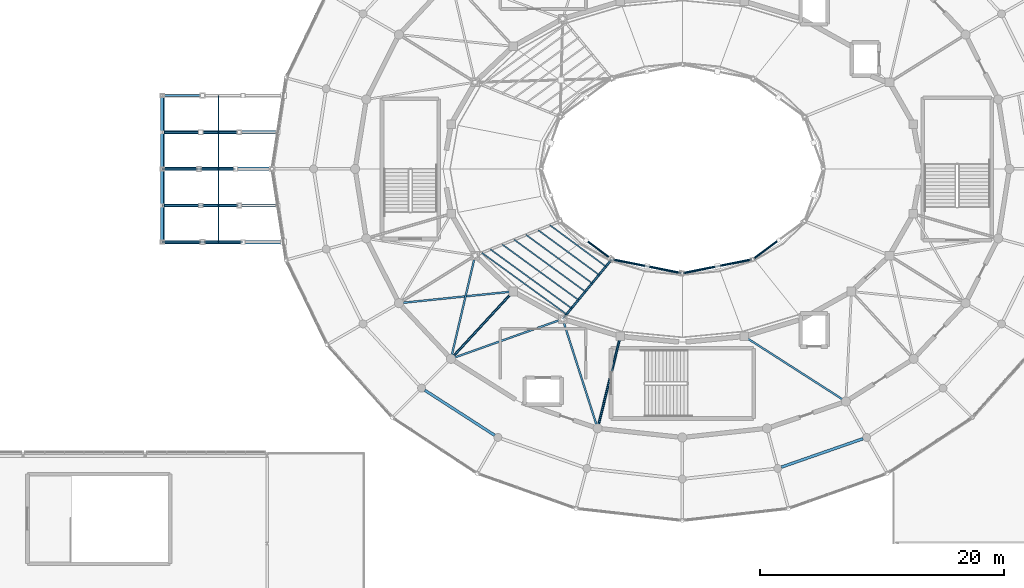
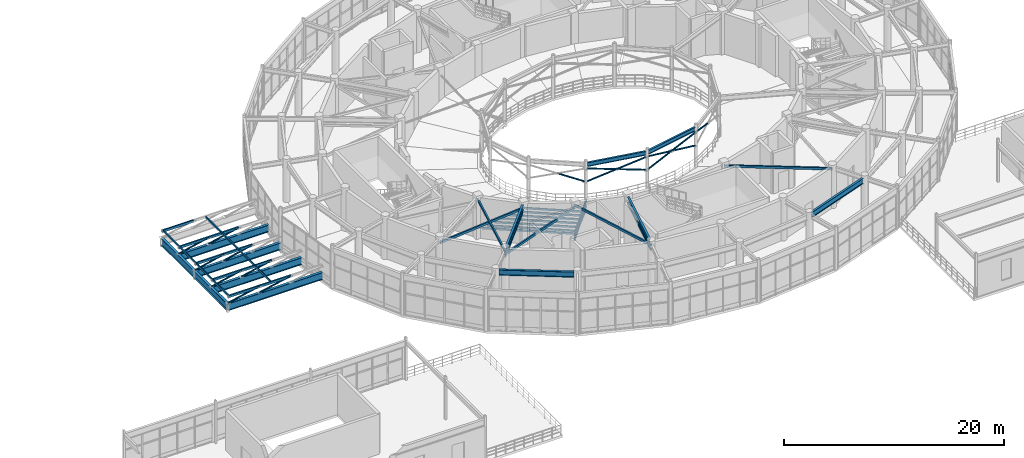
# One storey, part 37 of 144: 50 members, 13 beams.
"""IFC4 building model written with IfcOpenShell, lengths in metres."""

from ifc_helpers import new_model, si_unit, direction, frame, origin, origin_2d, place, context, subcontext, project, spatial, hollow_rectangle, hollow_circle, i_section, extrude, material, material_profile, profile_set, type_object, element, save


model = new_model("IFC4")

# Units and contexts
model_context = context("Model", 3, precision=1e-05, world=origin(), true_north=direction((0.0, 1.0)))
body_context = subcontext(model_context, "Body", "Model", "MODEL_VIEW")
ifc_project = project(units=[si_unit("LENGTHUNIT", "METRE"), si_unit("AREAUNIT", "SQUARE_METRE"), si_unit("VOLUMEUNIT", "CUBIC_METRE"), si_unit("PLANEANGLEUNIT", "RADIAN"), si_unit("MASSUNIT", "GRAM", prefix="KILO")], contexts=[model_context])

# Site, building, storey
site_placement = place(None, origin())
site = spatial("IfcSite", under=ifc_project, at=site_placement, CompositionType="ELEMENT")
building_placement = place(site_placement, origin())
building = spatial("IfcBuilding", under=site, at=building_placement, Name="Cinderbank Siding Concert Hall", CompositionType="ELEMENT")
storey_placement = place(building_placement, frame((0.0, 0.0, 5.39990234375)))
storey = spatial("IfcBuildingStorey", under=building, at=storey_placement, Name="L02", CompositionType="ELEMENT", Elevation=5.39990234375)

# Beams
ifc_material_1 = material(Name="Structural steel AS/NZS 3679.1 Grade 350 (340 MPa)", Category="steel")
ifc_material_profile_1 = material_profile(ifc_material_1, i_section(OverallWidth=0.18994140625, OverallDepth=0.45751953125, WebThickness=0.009033203125, FlangeThickness=0.014404296875, at=origin_2d()), Name="460UB74.6", Category="LoadBearing")
ifc_profile_set_1 = profile_set([ifc_material_profile_1], Name="Structural steel AS/NZS 3679.1 Grade 350 (340 MPa)")
beam_type_1 = type_object("IfcBeamType", Name="BM-UB460 460UB74.6", PredefinedType="BEAM", material=ifc_profile_set_1)
for number, where, z_axis, x_axis, name in (
    (1, (116.3759765625, 36.5654296875, 4.29345703125), (0.980895780778, -0.194533974545, 0.0), (0.194533974545, 0.980895780778, 0.0), "L02 Beam BM-UB460 #171"),
    (2, (122.15087890625, 35.47998046875, 4.29345703125), (0.980895780778, 0.194533974545, 0.0), (-0.194533974545, 0.980895780778, 0.0), "L02 Beam BM-UB460 #172"),
):
    element("IfcBeam", number, at=place(storey_placement, frame(where, z_axis=z_axis, x_axis=x_axis)), inside=storey, type_object=beam_type_1, Name=name, PredefinedType="BEAM", context=body_context, shape_type="SweptSolid", body=[
        extrude(i_section(OverallWidth=0.18994140625, OverallDepth=0.45751953125, WebThickness=0.009033203125, FlangeThickness=0.014404296875, at=origin_2d()), origin(), (0.0, 0.0, 1.0), 5.579833984375),
    ])
ifc_material_profile_2 = material_profile(ifc_material_1, i_section(OverallWidth=0.19091796875, OverallDepth=0.46044921875, WebThickness=0.010009765625, FlangeThickness=0.01611328125, at=origin_2d()), Name="460UB82.1", Category="LoadBearing")
ifc_profile_set_2 = profile_set([ifc_material_profile_2], Name="Structural steel AS/NZS 3679.1 Grade 350 (340 MPa)")
beam_type_2 = type_object("IfcBeamType", Name="BM-UB460H 460UB82.1", PredefinedType="BEAM", material=ifc_profile_set_2)
beam_1_placement = place(storey_placement, frame((116.193115234375, 36.556884765625, -0.485107421875), z_axis=(-0.620880156551, -0.754805988422, 0.211602814355), x_axis=(0.772294012286, -0.635265266316, 0.0)))
element("IfcBeam", 3, at=beam_1_placement, inside=storey, type_object=beam_type_2, Name="L02 Beam BM-UB460H #103", PredefinedType="BEAM", context=body_context, shape_type="SweptSolid", body=[
    extrude(i_section(OverallWidth=0.19091796875, OverallDepth=0.46044921875, WebThickness=0.010009765625, FlangeThickness=0.01611328125, at=origin_2d()), origin(), (0.0, 0.0, 1.0), 6.38037109375),
])
ifc_material_profile_3 = material_profile(ifc_material_1, i_section(OverallWidth=0.208984375, OverallDepth=0.532958984375, WebThickness=0.01025390625, FlangeThickness=0.015625, at=origin_2d()), Name="530UB92.4", Category="LoadBearing")
ifc_profile_set_3 = profile_set([ifc_material_profile_3], Name="Structural steel AS/NZS 3679.1 Grade 350 (340 MPa)")
beam_type_3 = type_object("IfcBeamType", Name="BM-UB530H 530UB92.4", PredefinedType="BEAM", material=ifc_profile_set_3)
beam_2_placement = place(storey_placement, frame((107.90869140625, 33.707763671875, 4.28564453125), z_axis=(-0.67829203735, -0.734792427879, 0.0), x_axis=(0.734792427879, -0.67829203735, 0.0)))
element("IfcBeam", 4, at=beam_2_placement, inside=storey, type_object=beam_type_3, Name="L02 Beam BM-UB530H #492", PredefinedType="BEAM", context=body_context, shape_type="SweptSolid", body=[
    extrude(i_section(OverallWidth=0.208984375, OverallDepth=0.532958984375, WebThickness=0.01025390625, FlangeThickness=0.015625, at=origin_2d()), origin(), (0.0, 0.0, 1.0), 6.797119140625),
])
beam_3_placement = place(storey_placement, frame((116.844970703125, 29.951904296875, 4.28564453125), z_axis=(-0.240115631411, -0.970744293598, 0.0), x_axis=(0.970744293598, -0.240115631411, 0.0)))
element("IfcBeam", 5, at=beam_3_placement, inside=storey, type_object=beam_type_3, Name="L02 Beam BM-UB530H #493", PredefinedType="BEAM", context=body_context, shape_type="SweptSolid", body=[
    extrude(i_section(OverallWidth=0.208984375, OverallDepth=0.532958984375, WebThickness=0.01025390625, FlangeThickness=0.015625, at=origin_2d()), origin(), (0.0, 0.0, 1.0), 7.05224609375),
])
ifc_material_profile_4 = material_profile(ifc_material_1, i_section(OverallWidth=0.22802734375, OverallDepth=0.60693359375, WebThickness=0.01123046875, FlangeThickness=0.017333984375, at=origin_2d()), Name="610UB113", Category="LoadBearing")
ifc_profile_set_4 = profile_set([ifc_material_profile_4], Name="Structural steel AS/NZS 3679.1 Grade 350 (340 MPa)")
beam_type_4 = type_object("IfcBeamType", Name="BM-UB610M 610UB113", PredefinedType="BEAM", material=ifc_profile_set_4)
beam_4_placement = place(storey_placement, frame((100.91162109375, 25.86767578125, 4.218505859375), z_axis=(0.840219727246, -0.542246078775, 0.0), x_axis=(0.542246078775, 0.840219727246, 0.0)))
element("IfcBeam", 6, at=beam_4_placement, inside=storey, type_object=beam_type_4, Name="L02 Beam BM-UB610M #455", PredefinedType="BEAM", context=body_context, shape_type="SweptSolid", body=[
    extrude(i_section(OverallWidth=0.22802734375, OverallDepth=0.60693359375, WebThickness=0.01123046875, FlangeThickness=0.017333984375, at=origin_2d()), origin(), (0.0, 0.0, 1.0), 6.810302734375),
])
beam_5_placement = place(storey_placement, frame((130.11572265625, 19.56982421875, 4.218505859375), z_axis=(0.944334299593, 0.328987432301, 0.0), x_axis=(-0.328987432301, 0.944334299593, 0.0)))
element("IfcBeam", 7, at=beam_5_placement, inside=storey, type_object=beam_type_4, Name="L02 Beam BM-UB610M #459", PredefinedType="BEAM", context=body_context, shape_type="SweptSolid", body=[
    extrude(i_section(OverallWidth=0.22802734375, OverallDepth=0.60693359375, WebThickness=0.01123046875, FlangeThickness=0.017333984375, at=origin_2d()), origin(), (0.0, 0.0, 1.0), 7.078857421875),
])
ifc_material_2 = material(Name="Structural steel welded plate section AS/NZS 3679.2 / AS/NZS 3678 Grade 350 (340 MPa)", Category="steel")
ifc_material_profile_5 = material_profile(ifc_material_2, i_section(OverallWidth=0.27490234375, OverallDepth=0.800048828125, WebThickness=0.011962890625, FlangeThickness=0.02001953125, at=origin_2d()), Name="800WB168", Category="LoadBearing")
ifc_profile_set_5 = profile_set([ifc_material_profile_5], Name="Structural steel welded plate section AS/NZS 3679.2 / AS/NZS 3678 Grade 350 (340 MPa)")
beam_type_5 = type_object("IfcBeamType", Name="BM-WB800H 800WB168", PredefinedType="BEAM", material=ifc_profile_set_5)
for number, where, z_axis, x_axis, name in (
    (8, (79.39990234375, 38.0, 0.550048828125), (0.0, 1.0, 0.0), (-1.0, 0.0, 0.0), "L02 Beam BM-WB800H #87"),
    (9, (79.39990234375, 44.0, 0.550048828125), (0.0, 1.0, 0.0), (-1.0, 0.0, 0.0), "L02 Beam BM-WB800H #88"),
):
    element("IfcBeam", number, at=place(storey_placement, frame(where, z_axis=z_axis, x_axis=x_axis)), inside=storey, type_object=beam_type_5, Name=name, PredefinedType="BEAM", context=body_context, shape_type="SweptSolid", body=[
        extrude(i_section(OverallWidth=0.27490234375, OverallDepth=0.800048828125, WebThickness=0.011962890625, FlangeThickness=0.02001953125, at=origin_2d()), origin(), (0.0, 0.0, 1.0), 6.0),
    ])
beam_6_placement = place(storey_placement, frame((89.321533203125, 38.0, 0.550048828125), z_axis=(-1.0, 0.0, 0.0), x_axis=(0.0, -1.0, 0.0)))
element("IfcBeam", 10, at=beam_6_placement, inside=storey, type_object=beam_type_5, Name="L02 Beam BM-WB800H #91", PredefinedType="BEAM", context=body_context, shape_type="SweptSolid", body=[
    extrude(i_section(OverallWidth=0.27490234375, OverallDepth=0.800048828125, WebThickness=0.011962890625, FlangeThickness=0.02001953125, at=origin_2d()), origin(), (0.0, 0.0, 1.0), 9.921630859375),
])
beam_7_placement = place(storey_placement, frame((88.86083984375, 41.0, 0.550048828125), z_axis=(-1.0, 0.0, 0.0), x_axis=(0.0, -1.0, 0.0)))
element("IfcBeam", 11, at=beam_7_placement, inside=storey, type_object=beam_type_5, Name="L02 Beam BM-WB800H #92", PredefinedType="BEAM", context=body_context, shape_type="SweptSolid", body=[
    extrude(i_section(OverallWidth=0.27490234375, OverallDepth=0.800048828125, WebThickness=0.011962890625, FlangeThickness=0.02001953125, at=origin_2d()), origin(), (0.0, 0.0, 1.0), 9.4609375),
])
beam_8_placement = place(storey_placement, frame((88.39990234375, 44.0, 0.550048828125), z_axis=(-1.0, 0.0, 0.0), x_axis=(0.0, -1.0, 0.0)))
element("IfcBeam", 12, at=beam_8_placement, inside=storey, type_object=beam_type_5, Name="L02 Beam BM-WB800H #93", PredefinedType="BEAM", context=body_context, shape_type="SweptSolid", body=[
    extrude(i_section(OverallWidth=0.27490234375, OverallDepth=0.800048828125, WebThickness=0.011962890625, FlangeThickness=0.02001953125, at=origin_2d()), origin(), (0.0, 0.0, 1.0), 9.0),
])
beam_9_placement = place(storey_placement, frame((88.86083984375, 47.0, 0.550048828125), z_axis=(-1.0, 0.0, 0.0), x_axis=(0.0, -1.0, 0.0)))
element("IfcBeam", 13, at=beam_9_placement, inside=storey, type_object=beam_type_5, Name="L02 Beam BM-WB800H #94", PredefinedType="BEAM", context=body_context, shape_type="SweptSolid", body=[
    extrude(i_section(OverallWidth=0.27490234375, OverallDepth=0.800048828125, WebThickness=0.011962890625, FlangeThickness=0.02001953125, at=origin_2d()), origin(), (0.0, 0.0, 1.0), 9.4609375),
])

# Members
ifc_material_3 = material(Name="Structural steel hollow section AS/NZS 1163 Grade C350L0 (350 MPa)", Category="steel")
ifc_material_profile_6 = material_profile(ifc_material_3, hollow_circle(Radius=0.084228515625, WallThickness=0.007080078125, at=origin_2d()), Name="168.3x7.1CHS", Category="LoadBearing")
ifc_profile_set_6 = profile_set([ifc_material_profile_6], Name="Structural steel hollow section AS/NZS 1163 Grade C350L0 (350 MPa)")
member_type_1 = type_object("IfcMemberType", Name="BR-CHS168 168.3x7.1CHS Roof Truss", PredefinedType="BRACE", material=ifc_profile_set_6)
member_1_placement = place(storey_placement, frame((86.014404296875, 38.0, 1.650146484375), z_axis=(-0.978327762396, 0.0, -0.207062283684), x_axis=(0.0, -1.0, 0.0)))
element("IfcMember", 14, at=member_1_placement, inside=storey, type_object=member_type_1, Name="L02 Diagonal Brace BR-CHS168 #CBR-BR-CHS168-L02-0004", PredefinedType="BRACE", context=body_context, shape_type="SweptSolid", body=[
    extrude(hollow_circle(Radius=0.084228515625, WallThickness=0.007080078125, at=origin_2d()), origin(), (0.0, 0.0, 1.0), 3.38037109375),
])
member_2_placement = place(storey_placement, frame((82.707275390625, 38.0, 1.650146484375), z_axis=(-0.978330858598, 0.0, -0.207047654211), x_axis=(0.0, -1.0, 0.0)))
element("IfcMember", 15, at=member_2_placement, inside=storey, type_object=member_type_1, Name="L02 Diagonal Brace BR-CHS168 #CBR-BR-CHS168-L02-0006", PredefinedType="BRACE", context=body_context, shape_type="SweptSolid", body=[
    extrude(hollow_circle(Radius=0.084228515625, WallThickness=0.007080078125, at=origin_2d()), origin(), (0.0, 0.0, 1.0), 3.380615234375),
])
member_3_placement = place(storey_placement, frame((85.707275390625, 41.0, 1.650146484375), z_axis=(-0.976242156209, 0.0, -0.216682376856), x_axis=(0.0, -1.0, 0.0)))
element("IfcMember", 16, at=member_3_placement, inside=storey, type_object=member_type_1, Name="L02 Diagonal Brace BR-CHS168 #CBR-BR-CHS168-L02-0010", PredefinedType="BRACE", context=body_context, shape_type="SweptSolid", body=[
    extrude(hollow_circle(Radius=0.084228515625, WallThickness=0.007080078125, at=origin_2d()), origin(), (0.0, 0.0, 1.0), 3.230224609375),
])
member_4_placement = place(storey_placement, frame((82.5537109375, 41.0, 1.650146484375), z_axis=(-0.976245704302, 0.0, -0.216666390636), x_axis=(0.0, -1.0, 0.0)))
element("IfcMember", 17, at=member_4_placement, inside=storey, type_object=member_type_1, Name="L02 Diagonal Brace BR-CHS168 #CBR-BR-CHS168-L02-0012", PredefinedType="BRACE", context=body_context, shape_type="SweptSolid", body=[
    extrude(hollow_circle(Radius=0.084228515625, WallThickness=0.007080078125, at=origin_2d()), origin(), (0.0, 0.0, 1.0), 3.23046875),
])
for number, where, z_axis, x_axis, name in (
    (18, (85.39990234375, 44.0, 1.650146484375), (-0.973844717077, 0.0, -0.227214583647), (0.0, -1.0, 0.0), "L02 Diagonal Brace BR-CHS168 #CBR-BR-CHS168-L02-0016"),
    (19, (82.39990234375, 44.0, 1.650146484375), (-0.973844717077, 0.0, -0.227214583647), (0.0, -1.0, 0.0), "L02 Diagonal Brace BR-CHS168 #CBR-BR-CHS168-L02-0018"),
):
    element("IfcMember", number, at=place(storey_placement, frame(where, z_axis=z_axis, x_axis=x_axis)), inside=storey, type_object=member_type_1, Name=name, PredefinedType="BRACE", context=body_context, shape_type="SweptSolid", body=[
        extrude(hollow_circle(Radius=0.084228515625, WallThickness=0.007080078125, at=origin_2d()), origin(), (0.0, 0.0, 1.0), 3.08056640625),
    ])
member_5_placement = place(storey_placement, frame((85.707275390625, 47.0, 1.650146484375), z_axis=(-0.976242156209, 0.0, -0.216682376856), x_axis=(0.0, -1.0, 0.0)))
element("IfcMember", 20, at=member_5_placement, inside=storey, type_object=member_type_1, Name="L02 Diagonal Brace BR-CHS168 #CBR-BR-CHS168-L02-0022", PredefinedType="BRACE", context=body_context, shape_type="SweptSolid", body=[
    extrude(hollow_circle(Radius=0.084228515625, WallThickness=0.007080078125, at=origin_2d()), origin(), (0.0, 0.0, 1.0), 3.230224609375),
])
member_6_placement = place(storey_placement, frame((82.5537109375, 47.0, 1.650146484375), z_axis=(-0.976245704302, 0.0, -0.216666390636), x_axis=(0.0, -1.0, 0.0)))
element("IfcMember", 21, at=member_6_placement, inside=storey, type_object=member_type_1, Name="L02 Diagonal Brace BR-CHS168 #CBR-BR-CHS168-L02-0024", PredefinedType="BRACE", context=body_context, shape_type="SweptSolid", body=[
    extrude(hollow_circle(Radius=0.084228515625, WallThickness=0.007080078125, at=origin_2d()), origin(), (0.0, 0.0, 1.0), 3.23046875),
])
member_7_placement = place(storey_placement, frame((116.22509765625, 36.595458984375, 0.300048828125), z_axis=(-0.631448280701, -0.767603957167, 0.109805435845), x_axis=(0.772273819235, -0.635289814277, 0.0)))
element("IfcMember", 22, at=member_7_placement, inside=storey, type_object=member_type_1, Name="L02 Diagonal Brace BR-CHS168 #RKDG-BR-CHS168-L02-1942", PredefinedType="BRACE", context=body_context, shape_type="SweptSolid", body=[
    extrude(hollow_circle(Radius=0.084228515625, WallThickness=0.007080078125, at=origin_2d()), origin(), (0.0, 0.0, 1.0), 6.37451171875),
])
member_8_placement = place(storey_placement, frame((112.199951171875, 31.702392578125, 0.300048828125), z_axis=(0.631973865139, 0.76824287045, -0.102038844484), x_axis=(-0.772273819235, 0.635289814277, 0.0)))
element("IfcMember", 23, at=member_8_placement, inside=storey, type_object=member_type_1, Name="L02 Diagonal Brace BR-CHS168 #RKDG-BR-CHS168-L02-1943", PredefinedType="BRACE", context=body_context, shape_type="SweptSolid", body=[
    extrude(hollow_circle(Radius=0.084228515625, WallThickness=0.007080078125, at=origin_2d()), origin(), (0.0, 0.0, 1.0), 6.369140625),
])
member_9_placement = place(storey_placement, frame((116.16064453125, 36.64306640625, 2.400146484375), z_axis=(-0.773503697063, 0.572598459824, 0.271703946303), x_axis=(-0.59498112384, -0.803739673199, 0.0)))
element("IfcMember", 24, at=member_9_placement, inside=storey, type_object=member_type_1, Name="L02 Diagonal Brace BR-CHS168 #RKCR-BR-CHS168-L02-2063", PredefinedType="BRACE", context=body_context, shape_type="SweptSolid", body=[
    extrude(hollow_circle(Radius=0.084228515625, WallThickness=0.007080078125, at=origin_2d()), origin(), (0.0, 0.0, 1.0), 2.634521484375),
])
member_10_placement = place(storey_placement, frame((116.303466796875, 36.579833984375, 2.400146484375), z_axis=(0.95128806538, -0.188678402955, 0.243826735457), x_axis=(0.194550158365, 0.980892571019, 0.0)))
element("IfcMember", 25, at=member_10_placement, inside=storey, type_object=member_type_1, Name="L02 Diagonal Brace BR-CHS168 #RKCR-BR-CHS168-L02-2064", PredefinedType="BRACE", context=body_context, shape_type="SweptSolid", body=[
    extrude(hollow_circle(Radius=0.084228515625, WallThickness=0.007080078125, at=origin_2d()), origin(), (0.0, 0.0, 1.0), 5.905517578125),
])
for number, where, z_axis, x_axis, name in (
    (26, (121.92138671875, 35.465576171875, 2.400146484375), (-0.951279182197, 0.18872674262, 0.243823981879), (-0.19459986347, -0.980882711203, 0.0), "L02 Diagonal Brace BR-CHS168 #RKCR-BR-CHS168-L02-2065"),
    (27, (119.09814453125, 36.025634765625, 3.123779296875), (-0.951294098882, 0.188646597752, 0.2438278052), (-0.194517417313, -0.980899064309, 0.0), "L02 Diagonal Brace BR-CHS168 #RKCR-BR-CHS168-L02-2065-S186"),
):
    element("IfcMember", number, at=place(storey_placement, frame(where, z_axis=z_axis, x_axis=x_axis)), inside=storey, type_object=member_type_1, Name=name, PredefinedType="BRACE", context=body_context, shape_type="SweptSolid", body=[
        extrude(hollow_circle(Radius=0.084228515625, WallThickness=0.007080078125, at=origin_2d()), origin(), (0.0, 0.0, 1.0), 2.937744140625),
    ])
member_11_placement = place(storey_placement, frame((122.07861328125, 35.465576171875, 2.400146484375), z_axis=(0.95128806538, 0.188678402955, 0.243826735457), x_axis=(-0.194550158365, 0.980892571019, 0.0)))
element("IfcMember", 28, at=member_11_placement, inside=storey, type_object=member_type_1, Name="L02 Diagonal Brace BR-CHS168 #RKCR-BR-CHS168-L02-2066", PredefinedType="BRACE", context=body_context, shape_type="SweptSolid", body=[
    extrude(hollow_circle(Radius=0.084228515625, WallThickness=0.007080078125, at=origin_2d()), origin(), (0.0, 0.0, 1.0), 5.905517578125),
])
for number, where, z_axis, x_axis, name in (
    (29, (127.696533203125, 36.579833984375, 2.400146484375), (-0.951294098882, -0.188646597752, 0.2438278052), (0.194517417313, -0.980899064309, 0.0), "L02 Diagonal Brace BR-CHS168 #RKCR-BR-CHS168-L02-2067"),
    (30, (124.873291015625, 36.02001953125, 3.123779296875), (-0.951279182197, -0.18872674262, 0.243823981879), (0.19459986347, -0.980882711203, 0.0), "L02 Diagonal Brace BR-CHS168 #RKCR-BR-CHS168-L02-2067-S187"),
):
    element("IfcMember", number, at=place(storey_placement, frame(where, z_axis=z_axis, x_axis=x_axis)), inside=storey, type_object=member_type_1, Name=name, PredefinedType="BRACE", context=body_context, shape_type="SweptSolid", body=[
        extrude(hollow_circle(Radius=0.084228515625, WallThickness=0.007080078125, at=origin_2d()), origin(), (0.0, 0.0, 1.0), 2.937744140625),
    ])
member_12_placement = place(storey_placement, frame((129.877197265625, 38.151611328125, 3.124267578125), z_axis=(-0.773503697063, -0.572598459824, 0.271703946303), x_axis=(0.59498112384, -0.803739673199, 0.0)))
element("IfcMember", 31, at=member_12_placement, inside=storey, type_object=member_type_1, Name="L02 Diagonal Brace BR-CHS168 #RKCR-BR-CHS168-L02-2069-S188", PredefinedType="BRACE", context=body_context, shape_type="SweptSolid", body=[
    extrude(hollow_circle(Radius=0.084228515625, WallThickness=0.007080078125, at=origin_2d()), origin(), (0.0, 0.0, 1.0), 2.634521484375),
])
ifc_material_profile_7 = material_profile(ifc_material_3, hollow_rectangle(XDim=0.10009765625, YDim=0.199951171875, WallThickness=0.008056640625, at=origin_2d()), Name="200x100x8.0RHS", Category="LoadBearing")
ifc_profile_set_7 = profile_set([ifc_material_profile_7], Name="Structural steel hollow section AS/NZS 1163 Grade C350L0 (350 MPa)")
member_type_2 = type_object("IfcMemberType", Name="PR-RHS200 200x100x8.0RHS Roof Truss", PredefinedType="PURLIN", material=ifc_profile_set_7)
for number, where, z_axis, x_axis, name in (
    (32, (79.550048828125, 38.0, 1.650146484375), (0.0, 1.0, 0.0), (-1.0, 0.0, 0.0), "L02 Roof Truss Member PR-RHS200 #31"),
    (33, (79.550048828125, 41.0, 1.650146484375), (0.0, 1.0, 0.0), (-1.0, 0.0, 0.0), "L02 Roof Truss Member PR-RHS200 #32"),
    (34, (79.550048828125, 44.0, 1.650146484375), (0.0, 1.0, 0.0), (-1.0, 0.0, 0.0), "L02 Roof Truss Member PR-RHS200 #33"),
    (35, (79.550048828125, 47.0, 1.650146484375), (0.0, 1.0, 0.0), (-1.0, 0.0, 0.0), "L02 Roof Truss Member PR-RHS200 #34"),
    (36, (84.0, 38.0, 1.650146484375), (0.0, 1.0, 0.0), (-1.0, 0.0, 0.0), "L02 Roof Truss Member PR-RHS200 #35"),
    (37, (84.0, 41.0, 1.650146484375), (0.0, 1.0, 0.0), (-1.0, 0.0, 0.0), "L02 Roof Truss Member PR-RHS200 #36"),
    (38, (84.0, 44.0, 1.650146484375), (0.0, 1.0, 0.0), (-1.0, 0.0, 0.0), "L02 Roof Truss Member PR-RHS200 #37"),
    (39, (84.0, 47.0, 1.650146484375), (0.0, 1.0, 0.0), (-1.0, 0.0, 0.0), "L02 Roof Truss Member PR-RHS200 #38"),
):
    element("IfcMember", number, at=place(storey_placement, frame(where, z_axis=z_axis, x_axis=x_axis)), inside=storey, type_object=member_type_2, Name=name, PredefinedType="PURLIN", context=body_context, shape_type="SweptSolid", body=[
        extrude(hollow_rectangle(XDim=0.10009765625, YDim=0.199951171875, WallThickness=0.008056640625, at=origin_2d()), origin(), (0.0, 0.0, 1.0), 3.0),
    ])
member_13_placement = place(storey_placement, frame((111.160888671875, 39.385986328125, -0.43798828125), z_axis=(0.804873593743, -0.593446289141, 0.0), x_axis=(0.593446289141, 0.804873593743, 0.0)))
element("IfcMember", 40, at=member_13_placement, inside=storey, type_object=member_type_2, Name="L02 Roof Truss Member PR-RHS200 #1977", PredefinedType="PURLIN", context=body_context, shape_type="SweptSolid", body=[
    extrude(hollow_rectangle(XDim=0.10009765625, YDim=0.199951171875, WallThickness=0.008056640625, at=origin_2d()), origin(), (0.0, 0.0, 1.0), 5.691650390625),
])
member_14_placement = place(storey_placement, frame((110.184814453125, 38.990478515625, -0.2490234375), z_axis=(0.806002667019, -0.591911902869, 0.0), x_axis=(0.591911902869, 0.806002667019, 0.0)))
element("IfcMember", 41, at=member_14_placement, inside=storey, type_object=member_type_2, Name="L02 Roof Truss Member PR-RHS200 #1978", PredefinedType="PURLIN", context=body_context, shape_type="SweptSolid", body=[
    extrude(hollow_rectangle(XDim=0.10009765625, YDim=0.199951171875, WallThickness=0.008056640625, at=origin_2d()), origin(), (0.0, 0.0, 1.0), 6.195556640625),
])
member_15_placement = place(storey_placement, frame((109.208740234375, 38.594970703125, -0.059814453125), z_axis=(0.806959583064, -0.590606663779, 0.0), x_axis=(0.590606663779, 0.806959583064, 0.0)))
element("IfcMember", 42, at=member_15_placement, inside=storey, type_object=member_type_2, Name="L02 Roof Truss Member PR-RHS200 #1979", PredefinedType="PURLIN", context=body_context, shape_type="SweptSolid", body=[
    extrude(hollow_rectangle(XDim=0.10009765625, YDim=0.199951171875, WallThickness=0.008056640625, at=origin_2d()), origin(), (0.0, 0.0, 1.0), 6.699462890625),
])
member_16_placement = place(storey_placement, frame((108.23291015625, 38.199462890625, 0.129150390625), z_axis=(0.807769138252, -0.589498956137, 0.0), x_axis=(0.589498956137, 0.807769138252, 0.0)))
element("IfcMember", 43, at=member_16_placement, inside=storey, type_object=member_type_2, Name="L02 Roof Truss Member PR-RHS200 #1980", PredefinedType="PURLIN", context=body_context, shape_type="SweptSolid", body=[
    extrude(hollow_rectangle(XDim=0.10009765625, YDim=0.199951171875, WallThickness=0.008056640625, at=origin_2d()), origin(), (0.0, 0.0, 1.0), 7.203369140625),
])
member_17_placement = place(storey_placement, frame((107.2568359375, 37.803955078125, 0.318115234375), z_axis=(0.808497668227, -0.588499380179, 0.0), x_axis=(0.588499380179, 0.808497668227, 0.0)))
element("IfcMember", 44, at=member_17_placement, inside=storey, type_object=member_type_2, Name="L02 Roof Truss Member PR-RHS200 #1981", PredefinedType="PURLIN", context=body_context, shape_type="SweptSolid", body=[
    extrude(hollow_rectangle(XDim=0.10009765625, YDim=0.199951171875, WallThickness=0.008056640625, at=origin_2d()), origin(), (0.0, 0.0, 1.0), 7.70703125),
])
member_18_placement = place(storey_placement, frame((106.28076171875, 37.408447265625, 0.507080078125), z_axis=(0.80912163461, -0.587641200398, 0.0), x_axis=(0.587641200398, 0.80912163461, 0.0)))
element("IfcMember", 45, at=member_18_placement, inside=storey, type_object=member_type_2, Name="L02 Roof Truss Member PR-RHS200 #1982", PredefinedType="PURLIN", context=body_context, shape_type="SweptSolid", body=[
    extrude(hollow_rectangle(XDim=0.10009765625, YDim=0.199951171875, WallThickness=0.008056640625, at=origin_2d()), origin(), (0.0, 0.0, 1.0), 8.211181640625),
])
member_19_placement = place(storey_placement, frame((105.58349609375, 37.1259765625, 0.64208984375), z_axis=(0.809508911887, -0.587107589438, 0.0), x_axis=(0.587107589438, 0.809508911887, 0.0)))
element("IfcMember", 46, at=member_19_placement, inside=storey, type_object=member_type_2, Name="L02 Roof Truss Member PR-RHS200 #1983", PredefinedType="PURLIN", context=body_context, shape_type="SweptSolid", body=[
    extrude(hollow_rectangle(XDim=0.10009765625, YDim=0.199951171875, WallThickness=0.008056640625, at=origin_2d()), origin(), (0.0, 0.0, 1.0), 8.5712890625),
])
member_20_placement = place(storey_placement, frame((108.140625, 33.958984375, 3.64013671875), z_axis=(-0.678276049894, -0.734807185689, 0.0), x_axis=(0.734807185689, -0.678276049894, 0.0)))
element("IfcMember", 47, at=member_20_placement, inside=storey, type_object=member_type_2, Name="L02 Roof Truss Member PR-RHS200 #2228", PredefinedType="PURLIN", context=body_context, shape_type="SweptSolid", body=[
    extrude(hollow_rectangle(XDim=0.10009765625, YDim=0.199951171875, WallThickness=0.008056640625, at=origin_2d()), origin(), (0.0, 0.0, 1.0), 7.505859375),
])
member_21_placement = place(storey_placement, frame((116.927001953125, 30.283935546875, 3.64013671875), z_axis=(-0.240070192761, -0.970755531814, 0.0), x_axis=(0.970755531814, -0.240070192761, 0.0)))
element("IfcMember", 48, at=member_21_placement, inside=storey, type_object=member_type_2, Name="L02 Roof Truss Member PR-RHS200 #2230", PredefinedType="PURLIN", context=body_context, shape_type="SweptSolid", body=[
    extrude(hollow_rectangle(XDim=0.10009765625, YDim=0.199951171875, WallThickness=0.008056640625, at=origin_2d()), origin(), (0.0, 0.0, 1.0), 7.761474609375),
])
ifc_material_profile_8 = material_profile(ifc_material_3, hollow_rectangle(XDim=0.14990234375, YDim=0.25, WallThickness=0.009033203125, at=origin_2d()), Name="250x150x9.0RHS", Category="LoadBearing")
ifc_profile_set_8 = profile_set([ifc_material_profile_8], Name="Structural steel hollow section AS/NZS 1163 Grade C350L0 (350 MPa)")
member_type_3 = type_object("IfcMemberType", Name="TR-RHS250 250x150x9.0RHS Roof Truss", PredefinedType="RAFTER", material=ifc_profile_set_8)
member_22_placement = place(storey_placement, frame((86.014404296875, 38.0, 1.650146484375), z_axis=(-1.0, 0.0, 0.0), x_axis=(0.0, -1.0, 0.0)))
element("IfcMember", 49, at=member_22_placement, inside=storey, type_object=member_type_3, Name="L02 Roof Truss Member TR-RHS250 #3", PredefinedType="RAFTER", context=body_context, shape_type="SweptSolid", body=[
    extrude(hollow_rectangle(XDim=0.14990234375, YDim=0.25, WallThickness=0.009033203125, at=origin_2d()), origin(), (0.0, 0.0, 1.0), 3.30712890625),
])
member_23_placement = place(storey_placement, frame((82.707275390625, 38.0, 1.650146484375), z_axis=(-1.0, 0.0, 0.0), x_axis=(0.0, -1.0, 0.0)))
element("IfcMember", 50, at=member_23_placement, inside=storey, type_object=member_type_3, Name="L02 Roof Truss Member TR-RHS250 #5", PredefinedType="RAFTER", context=body_context, shape_type="SweptSolid", body=[
    extrude(hollow_rectangle(XDim=0.14990234375, YDim=0.25, WallThickness=0.009033203125, at=origin_2d()), origin(), (0.0, 0.0, 1.0), 3.287353515625),
])
member_24_placement = place(storey_placement, frame((85.707275390625, 41.0, 1.650146484375), z_axis=(-1.0, 0.0, 0.0), x_axis=(0.0, -1.0, 0.0)))
element("IfcMember", 51, at=member_24_placement, inside=storey, type_object=member_type_3, Name="L02 Roof Truss Member TR-RHS250 #9", PredefinedType="RAFTER", context=body_context, shape_type="SweptSolid", body=[
    extrude(hollow_rectangle(XDim=0.14990234375, YDim=0.25, WallThickness=0.009033203125, at=origin_2d()), origin(), (0.0, 0.0, 1.0), 3.153564453125),
])
member_25_placement = place(storey_placement, frame((82.5537109375, 41.0, 1.650146484375), z_axis=(-1.0, 0.0, 0.0), x_axis=(0.0, -1.0, 0.0)))
element("IfcMember", 52, at=member_25_placement, inside=storey, type_object=member_type_3, Name="L02 Roof Truss Member TR-RHS250 #11", PredefinedType="RAFTER", context=body_context, shape_type="SweptSolid", body=[
    extrude(hollow_rectangle(XDim=0.14990234375, YDim=0.25, WallThickness=0.009033203125, at=origin_2d()), origin(), (0.0, 0.0, 1.0), 3.1337890625),
])
member_26_placement = place(storey_placement, frame((85.39990234375, 44.0, 1.650146484375), z_axis=(-1.0, 0.0, 0.0), x_axis=(0.0, -1.0, 0.0)))
element("IfcMember", 53, at=member_26_placement, inside=storey, type_object=member_type_3, Name="L02 Roof Truss Member TR-RHS250 #15", PredefinedType="RAFTER", context=body_context, shape_type="SweptSolid", body=[
    extrude(hollow_rectangle(XDim=0.14990234375, YDim=0.25, WallThickness=0.009033203125, at=origin_2d()), origin(), (0.0, 0.0, 1.0), 3.0),
])
member_27_placement = place(storey_placement, frame((82.39990234375, 44.0, 1.650146484375), z_axis=(-1.0, 0.0, 0.0), x_axis=(0.0, -1.0, 0.0)))
element("IfcMember", 54, at=member_27_placement, inside=storey, type_object=member_type_3, Name="L02 Roof Truss Member TR-RHS250 #17", PredefinedType="RAFTER", context=body_context, shape_type="SweptSolid", body=[
    extrude(hollow_rectangle(XDim=0.14990234375, YDim=0.25, WallThickness=0.009033203125, at=origin_2d()), origin(), (0.0, 0.0, 1.0), 2.97998046875),
])
member_28_placement = place(storey_placement, frame((85.707275390625, 47.0, 1.650146484375), z_axis=(-1.0, 0.0, 0.0), x_axis=(0.0, -1.0, 0.0)))
element("IfcMember", 55, at=member_28_placement, inside=storey, type_object=member_type_3, Name="L02 Roof Truss Member TR-RHS250 #21", PredefinedType="RAFTER", context=body_context, shape_type="SweptSolid", body=[
    extrude(hollow_rectangle(XDim=0.14990234375, YDim=0.25, WallThickness=0.009033203125, at=origin_2d()), origin(), (0.0, 0.0, 1.0), 3.153564453125),
])
member_29_placement = place(storey_placement, frame((82.5537109375, 47.0, 1.650146484375), z_axis=(-1.0, 0.0, 0.0), x_axis=(0.0, -1.0, 0.0)))
element("IfcMember", 56, at=member_29_placement, inside=storey, type_object=member_type_3, Name="L02 Roof Truss Member TR-RHS250 #23", PredefinedType="RAFTER", context=body_context, shape_type="SweptSolid", body=[
    extrude(hollow_rectangle(XDim=0.14990234375, YDim=0.25, WallThickness=0.009033203125, at=origin_2d()), origin(), (0.0, 0.0, 1.0), 3.1337890625),
])
member_30_placement = place(storey_placement, frame((82.707275390625, 50.0, 1.650146484375), z_axis=(-1.0, 0.0, 0.0), x_axis=(0.0, -1.0, 0.0)))
element("IfcMember", 57, at=member_30_placement, inside=storey, type_object=member_type_3, Name="L02 Roof Truss Member TR-RHS250 #29", PredefinedType="RAFTER", context=body_context, shape_type="SweptSolid", body=[
    extrude(hollow_rectangle(XDim=0.14990234375, YDim=0.25, WallThickness=0.009033203125, at=origin_2d()), origin(), (0.0, 0.0, 1.0), 3.287353515625),
])
member_31_placement = place(storey_placement, frame((116.22509765625, 36.595458984375, 0.300048828125), z_axis=(-0.635289814277, -0.772273819235, 0.0), x_axis=(0.772273819235, -0.635289814277, 0.0)))
element("IfcMember", 58, at=member_31_placement, inside=storey, type_object=member_type_3, Name="L02 Roof Truss Member TR-RHS250 #1941", PredefinedType="RAFTER", context=body_context, shape_type="SweptSolid", body=[
    extrude(hollow_rectangle(XDim=0.14990234375, YDim=0.25, WallThickness=0.009033203125, at=origin_2d()), origin(), (0.0, 0.0, 1.0), 6.3359375),
])
member_32_placement = place(storey_placement, frame((105.02587890625, 36.89990234375, 4.18017578125), z_axis=(-0.227577092084, -0.973760066525, 0.0), x_axis=(0.973760066525, -0.227577092084, 0.0)))
element("IfcMember", 59, at=member_32_placement, inside=storey, type_object=member_type_3, Name="L02 Roof Truss Member TR-RHS250 #2224", PredefinedType="RAFTER", context=body_context, shape_type="SweptSolid", body=[
    extrude(hollow_rectangle(XDim=0.14990234375, YDim=0.25, WallThickness=0.009033203125, at=origin_2d()), origin(), (0.0, 0.0, 1.0), 8.68408203125),
])
member_33_placement = place(storey_placement, frame((108.140625, 33.958984375, 3.900146484375), z_axis=(-0.994781438611, -0.102028865499, 0.0), x_axis=(0.102028865499, -0.994781438611, 0.0)))
element("IfcMember", 60, at=member_33_placement, inside=storey, type_object=member_type_3, Name="L02 Roof Truss Member TR-RHS250 #2225", PredefinedType="RAFTER", context=body_context, shape_type="SweptSolid", body=[
    extrude(hollow_rectangle(XDim=0.14990234375, YDim=0.25, WallThickness=0.009033203125, at=origin_2d()), origin(), (0.0, 0.0, 1.0), 9.399169921875),
])
member_34_placement = place(storey_placement, frame((112.199951171875, 31.702392578125, 3.900146484375), z_axis=(-0.942041785809, -0.335495564487, 0.0), x_axis=(0.335495564487, -0.942041785809, 0.0)))
element("IfcMember", 61, at=member_34_placement, inside=storey, type_object=member_type_3, Name="L02 Roof Truss Member TR-RHS250 #2227", PredefinedType="RAFTER", context=body_context, shape_type="SweptSolid", body=[
    extrude(hollow_rectangle(XDim=0.14990234375, YDim=0.25, WallThickness=0.009033203125, at=origin_2d()), origin(), (0.0, 0.0, 1.0), 9.71337890625),
])
member_35_placement = place(storey_placement, frame((112.199951171875, 31.702392578125, 4.18017578125), z_axis=(0.304664519425, -0.952459726499, 0.0), x_axis=(0.952459726499, 0.304664519425, 0.0)))
element("IfcMember", 62, at=member_35_placement, inside=storey, type_object=member_type_3, Name="L02 Roof Truss Member TR-RHS250 #2229", PredefinedType="RAFTER", context=body_context, shape_type="SweptSolid", body=[
    extrude(hollow_rectangle(XDim=0.14990234375, YDim=0.25, WallThickness=0.009033203125, at=origin_2d()), origin(), (0.0, 0.0, 1.0), 9.399658203125),
])
member_36_placement = place(storey_placement, frame((127.072998046875, 30.283935546875, 4.18017578125), z_axis=(0.841940386591, -0.539570556487, 0.0), x_axis=(0.539570556487, 0.841940386591, 0.0)))
element("IfcMember", 63, at=member_36_placement, inside=storey, type_object=member_type_3, Name="L02 Roof Truss Member TR-RHS250 #2231", PredefinedType="RAFTER", context=body_context, shape_type="SweptSolid", body=[
    extrude(hollow_rectangle(XDim=0.14990234375, YDim=0.25, WallThickness=0.009033203125, at=origin_2d()), origin(), (0.0, 0.0, 1.0), 9.89013671875),
])

save(model, "model.ifc")
